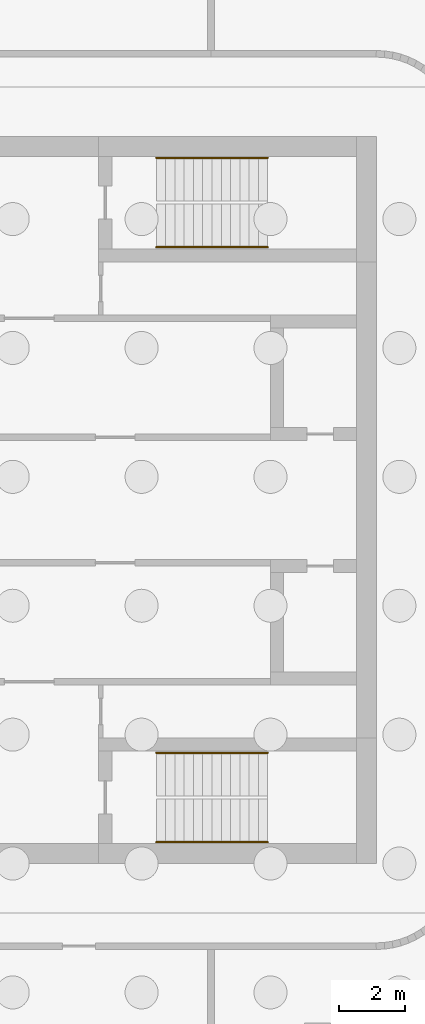
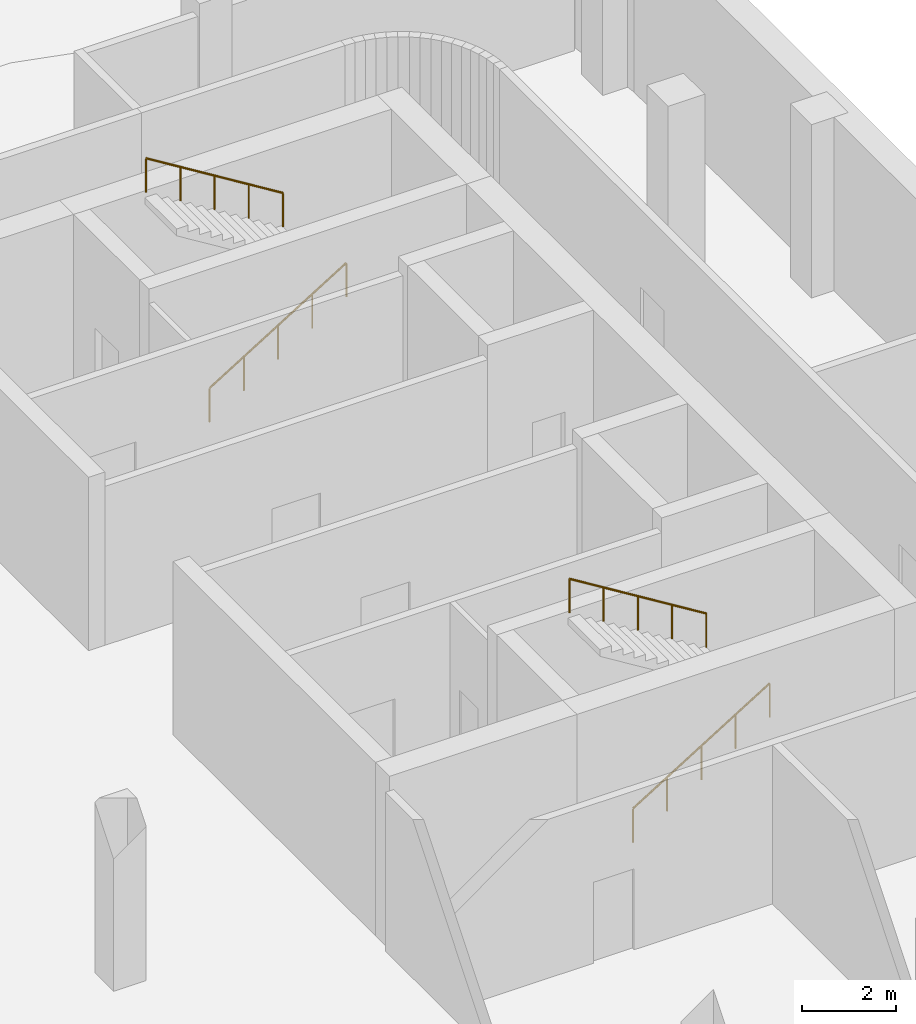
# One storey, part 17 of 18: 4 railings.
"""IFC4 building model written with IfcOpenShell, lengths in metres."""

from ifc_helpers import new_model, si_unit, direction, frame, origin, origin_2d, place, context, subcontext, project, spatial, circle, extrude, material, type_object, element, save


model = new_model("IFC4")

# Units and contexts
model_context = context("Model", 3, precision=1e-05, world=origin(), true_north=direction((0.0, 1.0)))
body_context = subcontext(model_context, "Body", "Model", "MODEL_VIEW")
ifc_project = project(units=[si_unit("LENGTHUNIT", "METRE"), si_unit("AREAUNIT", "SQUARE_METRE"), si_unit("VOLUMEUNIT", "CUBIC_METRE"), si_unit("PLANEANGLEUNIT", "RADIAN"), si_unit("MASSUNIT", "GRAM", prefix="KILO")], contexts=[model_context])

# Site, building, storey
site_placement = place(None, origin())
site = spatial("IfcSite", under=ifc_project, at=site_placement, CompositionType="ELEMENT")
building_placement = place(site_placement, origin())
building = spatial("IfcBuilding", under=site, at=building_placement, Name="Skarvind Civic Tower", CompositionType="ELEMENT")
storey_placement = place(building_placement, frame((0.0, 0.0, -9.0)))
storey = spatial("IfcBuildingStorey", under=building, at=storey_placement, Name="B2", CompositionType="ELEMENT", Elevation=-9.0)

# Railings
ifc_material = material(Name="Painted steel handrail", Category="steel")
railing_type = type_object("IfcRailingType", Name="Stair handrail 900", PredefinedType="HANDRAIL", material=ifc_material)
railing_1_placement = place(storey_placement, frame((160.35009765625, 135.64990234375, 0.173095703125)))
element("IfcRailing", 1, at=railing_1_placement, inside=storey, type_object=railing_type, Name="Stair handrail", PredefinedType="HANDRAIL", context=body_context, shape_type="SweptSolid", body=[
    extrude(circle(Radius=0.02392578125, at=origin_2d()), frame((0.0, 0.0, 0.8759765625), z_axis=(0.850606129759, 0.0, 0.525803396734), x_axis=(0.0, 1.0, 0.0)), (0.0, 0.0, 1.0), 3.949951171875),
    extrude(circle(Radius=0.02099609375, at=origin_2d()), origin(), (0.0, 0.0, 1.0), 0.851806640625),
    extrude(circle(Radius=0.02099609375, at=origin_2d()), frame((0.83984375, 0.0, 0.519287109375)), (0.0, 0.0, 1.0), 0.851806640625),
    extrude(circle(Radius=0.02099609375, at=origin_2d()), frame((1.679931640625, 0.0, 1.03857421875)), (0.0, 0.0, 1.0), 0.851806640625),
    extrude(circle(Radius=0.02099609375, at=origin_2d()), frame((2.52001953125, 0.0, 1.5576171875)), (0.0, 0.0, 1.0), 0.851806640625),
    extrude(circle(Radius=0.02099609375, at=origin_2d()), frame((3.35986328125, 0.0, 2.076904296875)), (0.0, 0.0, 1.0), 0.851806640625),
])
railing_2_placement = place(storey_placement, frame((163.7099609375, 138.35009765625, 2.423095703125)))
element("IfcRailing", 2, at=railing_2_placement, inside=storey, type_object=railing_type, Name="Stair handrail", PredefinedType="HANDRAIL", context=body_context, shape_type="SweptSolid", body=[
    extrude(circle(Radius=0.02392578125, at=origin_2d()), frame((0.0, 0.0, 0.8759765625), z_axis=(-0.850606129759, 0.0, 0.525803396734), x_axis=(0.0, -1.0, 0.0)), (0.0, 0.0, 1.0), 3.949951171875),
    extrude(circle(Radius=0.02099609375, at=origin_2d()), origin(), (0.0, 0.0, 1.0), 0.851806640625),
    extrude(circle(Radius=0.02099609375, at=origin_2d()), frame((-0.83984375, 0.0, 0.519287109375)), (0.0, 0.0, 1.0), 0.851806640625),
    extrude(circle(Radius=0.02099609375, at=origin_2d()), frame((-1.679931640625, 0.0, 1.03857421875)), (0.0, 0.0, 1.0), 0.851806640625),
    extrude(circle(Radius=0.02099609375, at=origin_2d()), frame((-2.52001953125, 0.0, 1.5576171875)), (0.0, 0.0, 1.0), 0.851806640625),
    extrude(circle(Radius=0.02099609375, at=origin_2d()), frame((-3.35986328125, 0.0, 2.076904296875)), (0.0, 0.0, 1.0), 0.851806640625),
])
railing_3_placement = place(storey_placement, frame((160.35009765625, 117.64990234375, 0.173095703125)))
element("IfcRailing", 3, at=railing_3_placement, inside=storey, type_object=railing_type, Name="Stair handrail", PredefinedType="HANDRAIL", context=body_context, shape_type="SweptSolid", body=[
    extrude(circle(Radius=0.02392578125, at=origin_2d()), frame((0.0, 0.0, 0.8759765625), z_axis=(0.850606129759, 0.0, 0.525803396734), x_axis=(0.0, 1.0, 0.0)), (0.0, 0.0, 1.0), 3.949951171875),
    extrude(circle(Radius=0.02099609375, at=origin_2d()), origin(), (0.0, 0.0, 1.0), 0.851806640625),
    extrude(circle(Radius=0.02099609375, at=origin_2d()), frame((0.83984375, 0.0, 0.519287109375)), (0.0, 0.0, 1.0), 0.851806640625),
    extrude(circle(Radius=0.02099609375, at=origin_2d()), frame((1.679931640625, 0.0, 1.03857421875)), (0.0, 0.0, 1.0), 0.851806640625),
    extrude(circle(Radius=0.02099609375, at=origin_2d()), frame((2.52001953125, 0.0, 1.5576171875)), (0.0, 0.0, 1.0), 0.851806640625),
    extrude(circle(Radius=0.02099609375, at=origin_2d()), frame((3.35986328125, 0.0, 2.076904296875)), (0.0, 0.0, 1.0), 0.851806640625),
])
railing_4_placement = place(storey_placement, frame((163.7099609375, 120.35009765625, 2.423095703125)))
element("IfcRailing", 4, at=railing_4_placement, inside=storey, type_object=railing_type, Name="Stair handrail", PredefinedType="HANDRAIL", context=body_context, shape_type="SweptSolid", body=[
    extrude(circle(Radius=0.02392578125, at=origin_2d()), frame((0.0, 0.0, 0.8759765625), z_axis=(-0.850606129759, 0.0, 0.525803396734), x_axis=(0.0, -1.0, 0.0)), (0.0, 0.0, 1.0), 3.949951171875),
    extrude(circle(Radius=0.02099609375, at=origin_2d()), origin(), (0.0, 0.0, 1.0), 0.851806640625),
    extrude(circle(Radius=0.02099609375, at=origin_2d()), frame((-0.83984375, 0.0, 0.519287109375)), (0.0, 0.0, 1.0), 0.851806640625),
    extrude(circle(Radius=0.02099609375, at=origin_2d()), frame((-1.679931640625, 0.0, 1.03857421875)), (0.0, 0.0, 1.0), 0.851806640625),
    extrude(circle(Radius=0.02099609375, at=origin_2d()), frame((-2.52001953125, 0.0, 1.5576171875)), (0.0, 0.0, 1.0), 0.851806640625),
    extrude(circle(Radius=0.02099609375, at=origin_2d()), frame((-3.35986328125, 0.0, 2.076904296875)), (0.0, 0.0, 1.0), 0.851806640625),
])

save(model, "model.ifc")
